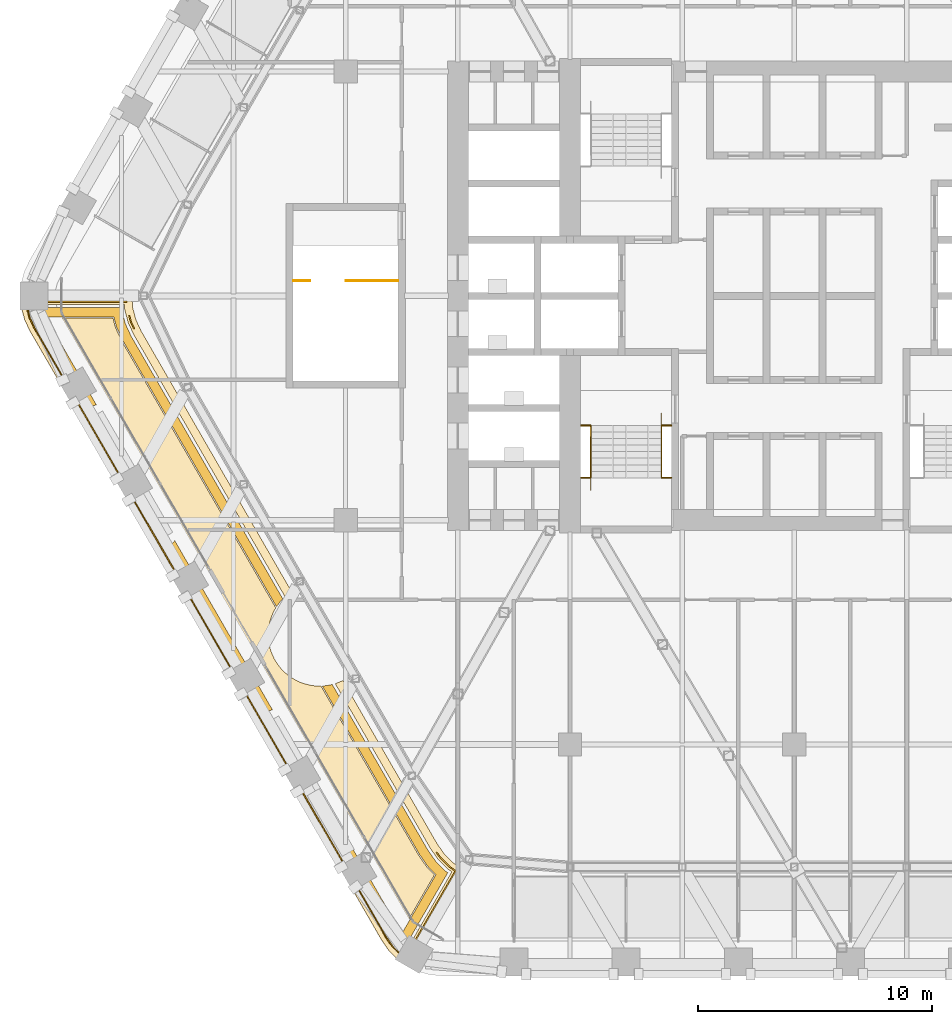
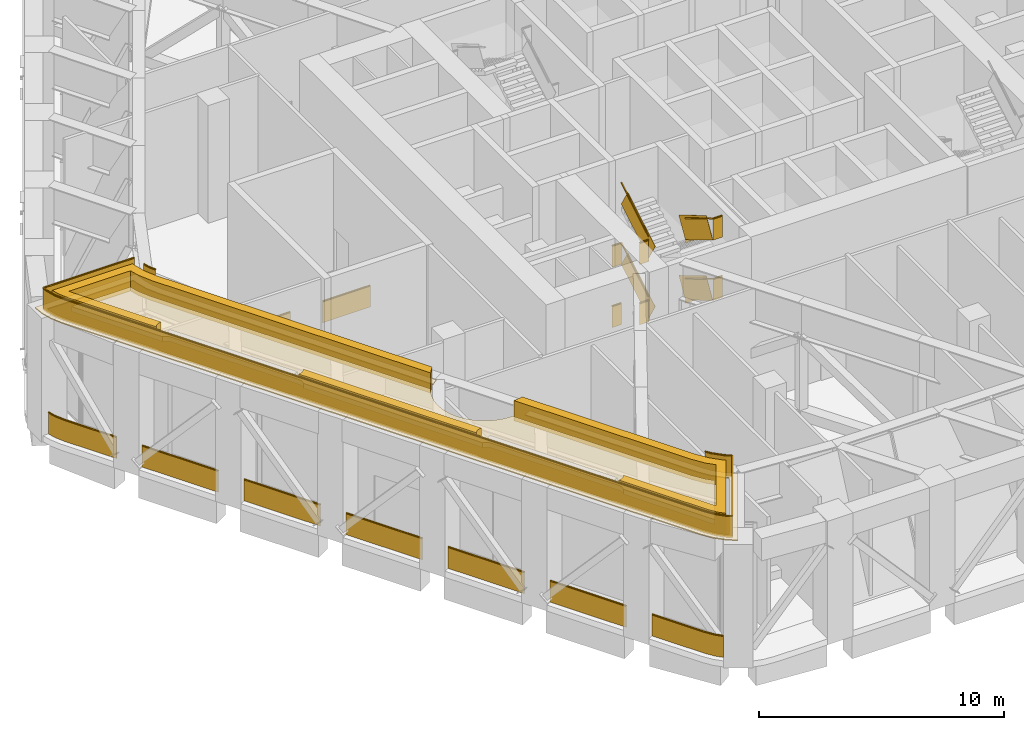
# One storey, part 25 of 27: 5 coverings, 5 railings.
"""IFC4 building model written with IfcOpenShell, lengths in metres."""

from ifc_helpers import new_model, si_unit, direction, frame, frame_2d, origin, origin_2d, place, context, subcontext, project, spatial, polyline, rectangle, outline, extrude, material, layer, layer_set, type_object, element, save


model = new_model("IFC4")

# Units and contexts
model_context = context("Model", 3, precision=1e-05, world=origin(), true_north=direction((0.0, 1.0)))
body_context = subcontext(model_context, "Body", "Model", "MODEL_VIEW")
ifc_project = project(units=[si_unit("LENGTHUNIT", "METRE"), si_unit("AREAUNIT", "SQUARE_METRE"), si_unit("VOLUMEUNIT", "CUBIC_METRE"), si_unit("PLANEANGLEUNIT", "RADIAN"), si_unit("MASSUNIT", "GRAM", prefix="KILO")], contexts=[model_context])

# Site, building, storey
site_placement = place(None, origin())
site = spatial("IfcSite", under=ifc_project, at=site_placement, CompositionType="ELEMENT")
building_placement = place(site_placement, origin())
building = spatial("IfcBuilding", under=site, at=building_placement, Name="Kolab Exchange Tower", CompositionType="ELEMENT")
storey_placement = place(building_placement, frame((0.0, 0.0, 127.39990234375)))
storey = spatial("IfcBuildingStorey", under=building, at=storey_placement, Name="L25", CompositionType="ELEMENT", Elevation=127.39990234375)

# Railings
ifc_material_1 = material(Name="Stainless steel 316", Category="steel")
railing_type_1 = type_object("IfcRailingType", Name="GUARD 1100", PredefinedType="GUARDRAIL", material=ifc_material_1)
railing_1_placement = place(storey_placement, frame((-9.14990234375, -5.550048828125, 0.0)))
element("IfcRailing", 1, at=railing_1_placement, inside=storey, type_object=railing_type_1, Name="Guard ST3", PredefinedType="GUARDRAIL", context=body_context, shape_type="SweptSolid", body=[
    extrude(rectangle(XDim=0.05, YDim=0.05, at=origin_2d()), frame((0.0, 0.0, 1.0751953125), z_axis=(1.0, 0.0, 0.0), x_axis=(0.0, 1.0, 0.0)), (0.0, 0.0, 1.0), 0.43994140625),
    extrude(rectangle(XDim=0.012, YDim=1.05009765625, at=frame_2d((0.0, 0.525146484375))), frame((0.0, 0.0, 0.0), z_axis=(1.0, 0.0, 0.0), x_axis=(0.0, 1.0, 0.0)), (0.0, 0.0, 1.0), 0.43994140625),
    extrude(rectangle(XDim=0.05, YDim=0.05, at=origin_2d()), frame((3.4599609375, 0.0, 1.0751953125), z_axis=(1.0, 0.0, 0.0), x_axis=(0.0, 1.0, 0.0)), (0.0, 0.0, 1.0), 0.43994140625),
    extrude(rectangle(XDim=0.012, YDim=1.05009765625, at=frame_2d((0.0, 0.525146484375))), frame((3.4599609375, 0.0, 0.0), z_axis=(1.0, 0.0, 0.0), x_axis=(0.0, 1.0, 0.0)), (0.0, 0.0, 1.0), 0.43994140625),
    extrude(rectangle(XDim=0.05, YDim=0.05, at=origin_2d()), frame((0.0, -2.239990234375, 2.5751953125), z_axis=(1.0, 0.0, 0.0), x_axis=(0.0, 1.0, 0.0)), (0.0, 0.0, 1.0), 0.43994140625),
    extrude(rectangle(XDim=0.012, YDim=1.05009765625, at=frame_2d((0.0, 0.525146484375))), frame((0.0, -2.239990234375, 1.5), z_axis=(1.0, 0.0, 0.0), x_axis=(0.0, 1.0, 0.0)), (0.0, 0.0, 1.0), 0.43994140625),
    extrude(rectangle(XDim=0.05, YDim=0.05, at=origin_2d()), frame((3.4599609375, -2.239990234375, 2.5751953125), z_axis=(1.0, 0.0, 0.0), x_axis=(0.0, 1.0, 0.0)), (0.0, 0.0, 1.0), 0.43994140625),
    extrude(rectangle(XDim=0.012, YDim=1.05009765625, at=frame_2d((0.0, 0.525146484375))), frame((3.4599609375, -2.239990234375, 1.5), z_axis=(1.0, 0.0, 0.0), x_axis=(0.0, 1.0, 0.0)), (0.0, 0.0, 1.0), 0.43994140625),
    extrude(rectangle(XDim=0.05, YDim=0.05, at=origin_2d()), frame((0.0, 0.0, 4.0751953125), z_axis=(1.0, 0.0, 0.0), x_axis=(0.0, 1.0, 0.0)), (0.0, 0.0, 1.0), 0.43994140625),
    extrude(rectangle(XDim=0.012, YDim=1.05009765625, at=frame_2d((0.0, 0.525146484375))), frame((0.0, 0.0, 3.0), z_axis=(1.0, 0.0, 0.0), x_axis=(0.0, 1.0, 0.0)), (0.0, 0.0, 1.0), 0.43994140625),
    extrude(rectangle(XDim=0.05, YDim=0.05, at=origin_2d()), frame((3.4599609375, 0.0, 4.0751953125), z_axis=(1.0, 0.0, 0.0), x_axis=(0.0, 1.0, 0.0)), (0.0, 0.0, 1.0), 0.43994140625),
    extrude(rectangle(XDim=0.012, YDim=1.05009765625, at=frame_2d((0.0, 0.525146484375))), frame((3.4599609375, 0.0, 3.0), z_axis=(1.0, 0.0, 0.0), x_axis=(0.0, 1.0, 0.0)), (0.0, 0.0, 1.0), 0.43994140625),
    extrude(rectangle(XDim=0.05, YDim=0.05, at=origin_2d()), frame((0.0, -2.239990234375, 5.5751953125), z_axis=(1.0, 0.0, 0.0), x_axis=(0.0, 1.0, 0.0)), (0.0, 0.0, 1.0), 0.43994140625),
    extrude(rectangle(XDim=0.012, YDim=1.05009765625, at=frame_2d((0.0, 0.525146484375))), frame((0.0, -2.239990234375, 4.5), z_axis=(1.0, 0.0, 0.0), x_axis=(0.0, 1.0, 0.0)), (0.0, 0.0, 1.0), 0.43994140625),
    extrude(rectangle(XDim=0.05, YDim=0.05, at=origin_2d()), frame((3.4599609375, -2.239990234375, 5.5751953125), z_axis=(1.0, 0.0, 0.0), x_axis=(0.0, 1.0, 0.0)), (0.0, 0.0, 1.0), 0.43994140625),
    extrude(rectangle(XDim=0.012, YDim=1.05009765625, at=frame_2d((0.0, 0.525146484375))), frame((3.4599609375, -2.239990234375, 4.5), z_axis=(1.0, 0.0, 0.0), x_axis=(0.0, 1.0, 0.0)), (0.0, 0.0, 1.0), 0.43994140625),
])
railing_2_placement = place(storey_placement, frame((-5.68994140625, -5.550048828125, 0.166748046875)))
element("IfcRailing", 2, at=railing_2_placement, inside=storey, type_object=railing_type_1, Name="Handrail guard ST3", PredefinedType="GUARDRAIL", context=body_context, shape_type="SweptSolid", body=[
    extrude(rectangle(XDim=0.05, YDim=0.05, at=origin_2d()), frame((0.0, 0.0, 1.0751953125), z_axis=(0.0, -0.859305625298, 0.511462454469), x_axis=(1.0, 0.0, 0.0)), (0.0, 0.0, 1.0), 2.606689453125),
    extrude(rectangle(XDim=0.012, YDim=1.05009765625, at=frame_2d((0.0, 0.525146484375))), frame((0.0, 0.0, 0.0), z_axis=(0.0, -0.859305625298, 0.511462454469), x_axis=(1.0, 0.0, 0.0)), (0.0, 0.0, 1.0), 2.606689453125),
    extrude(rectangle(XDim=0.05, YDim=0.05, at=origin_2d()), frame((-3.02001953125, -2.239990234375, 2.5751953125), z_axis=(0.0, 0.859305625298, 0.511462454469), x_axis=(-1.0, 0.0, 0.0)), (0.0, 0.0, 1.0), 2.606689453125),
    extrude(rectangle(XDim=0.012, YDim=1.05009765625, at=frame_2d((0.0, 0.525146484375))), frame((-3.02001953125, -2.239990234375, 1.5), z_axis=(0.0, 0.859305625298, 0.511462454469), x_axis=(-1.0, 0.0, 0.0)), (0.0, 0.0, 1.0), 2.606689453125),
    extrude(rectangle(XDim=0.05, YDim=0.05, at=origin_2d()), frame((0.0, 0.0, 4.0751953125), z_axis=(0.0, -0.859305625298, 0.511462454469), x_axis=(1.0, 0.0, 0.0)), (0.0, 0.0, 1.0), 2.606689453125),
    extrude(rectangle(XDim=0.012, YDim=1.05009765625, at=frame_2d((0.0, 0.525146484375))), frame((0.0, 0.0, 3.0), z_axis=(0.0, -0.859305625298, 0.511462454469), x_axis=(1.0, 0.0, 0.0)), (0.0, 0.0, 1.0), 2.606689453125),
    extrude(rectangle(XDim=0.05, YDim=0.05, at=origin_2d()), frame((-3.02001953125, -2.239990234375, 5.5751953125), z_axis=(0.0, 0.859305625298, 0.511462454469), x_axis=(-1.0, 0.0, 0.0)), (0.0, 0.0, 1.0), 2.606689453125),
    extrude(rectangle(XDim=0.012, YDim=1.05009765625, at=frame_2d((0.0, 0.525146484375))), frame((-3.02001953125, -2.239990234375, 4.5), z_axis=(0.0, 0.859305625298, 0.511462454469), x_axis=(-1.0, 0.0, 0.0)), (0.0, 0.0, 1.0), 2.606689453125),
])
railing_3_placement = place(storey_placement, frame((-21.449951171875, 0.64990234375, 0.0)))
element("IfcRailing", 3, at=railing_3_placement, inside=storey, type_object=railing_type_1, Name="Guard ST5", PredefinedType="GUARDRAIL", context=body_context, shape_type="SweptSolid", body=[
    extrude(rectangle(XDim=0.05, YDim=0.05, at=origin_2d()), frame((0.0, 0.0, 1.0751953125), z_axis=(1.0, 0.0, 0.0), x_axis=(0.0, 1.0, 0.0)), (0.0, 0.0, 1.0), 0.739990234375),
    extrude(rectangle(XDim=0.012, YDim=1.05009765625, at=frame_2d((0.0, 0.525146484375))), frame((0.0, 0.0, 0.0), z_axis=(1.0, 0.0, 0.0), x_axis=(0.0, 1.0, 0.0)), (0.0, 0.0, 1.0), 0.739990234375),
    extrude(rectangle(XDim=0.05, YDim=0.05, at=origin_2d()), frame((2.260009765625, 0.0, 1.0751953125), z_axis=(1.0, 0.0, 0.0), x_axis=(0.0, 1.0, 0.0)), (0.0, 0.0, 1.0), 2.239990234375),
    extrude(rectangle(XDim=0.012, YDim=1.05009765625, at=frame_2d((0.0, 0.525146484375))), frame((2.260009765625, 0.0, 0.0), z_axis=(1.0, 0.0, 0.0), x_axis=(0.0, 1.0, 0.0)), (0.0, 0.0, 1.0), 2.239990234375),
])
ifc_material_2 = material(Name="Steel S235", Category="steel")
railing_type_2 = type_object("IfcRailingType", Name="GUARD 1100 GLASS BALUSTRADE AND STEEL TOP RAIL", PredefinedType="GUARDRAIL", material=ifc_material_2)
railing_4_placement = place(storey_placement, frame((-32.81298828125, -0.593994140625, 0.0)))
element("IfcRailing", 4, at=railing_4_placement, inside=storey, type_object=railing_type_2, Name="Guard", PredefinedType="GUARDRAIL", context=body_context, shape_type="SweptSolid", body=[
    extrude(rectangle(XDim=0.05, YDim=0.05, at=origin_2d()), frame((0.0, 0.0, 1.0751953125), z_axis=(0.259144041577, -0.965838685141, 0.0), x_axis=(0.965838685141, 0.259144041577, 0.0)), (0.0, 0.0, 1.0), 0.35888671875),
    extrude(rectangle(XDim=0.012, YDim=1.05009765625, at=frame_2d((0.0, 0.525146484375))), frame((0.0, 0.0, 0.0), z_axis=(0.259144041577, -0.965838685141, 0.0), x_axis=(0.965838685141, 0.259144041577, 0.0)), (0.0, 0.0, 1.0), 0.35888671875),
    extrude(rectangle(XDim=0.05, YDim=0.05, at=origin_2d()), frame((0.093017578125, -0.3466796875, 1.0751953125), z_axis=(0.422383329074, -0.906417300872, 0.0), x_axis=(0.906417300872, 0.422383329074, 0.0)), (0.0, 0.0, 1.0), 0.479248046875),
    extrude(rectangle(XDim=0.012, YDim=1.05009765625, at=frame_2d((0.0, 0.525146484375))), frame((0.093017578125, -0.3466796875, 0.0), z_axis=(0.422383329074, -0.906417300872, 0.0), x_axis=(0.906417300872, 0.422383329074, 0.0)), (0.0, 0.0, 1.0), 0.479248046875),
    extrude(rectangle(XDim=0.05, YDim=0.05, at=origin_2d()), frame((0.29541015625, -0.781005859375, 1.0751953125), z_axis=(0.500064973171, -0.865987888257, 0.0), x_axis=(0.865987888257, 0.500064973171, 0.0)), (0.0, 0.0, 1.0), 2.468017578125),
    extrude(rectangle(XDim=0.012, YDim=1.05009765625, at=frame_2d((0.0, 0.525146484375))), frame((0.29541015625, -0.781005859375, 0.0), z_axis=(0.500064973171, -0.865987888257, 0.0), x_axis=(0.865987888257, 0.500064973171, 0.0)), (0.0, 0.0, 1.0), 2.468017578125),
    extrude(rectangle(XDim=0.05, YDim=0.05, at=origin_2d()), frame((2.12939453125, -3.95751953125, 1.0751953125), z_axis=(0.500012057535, -0.866018442252, 0.0), x_axis=(0.866018442252, 0.500012057535, 0.0)), (0.0, 0.0, 1.0), 3.60009765625),
    extrude(rectangle(XDim=0.012, YDim=1.05009765625, at=frame_2d((0.0, 0.525146484375))), frame((2.12939453125, -3.95751953125, 0.0), z_axis=(0.500012057535, -0.866018442252, 0.0), x_axis=(0.866018442252, 0.500012057535, 0.0)), (0.0, 0.0, 1.0), 3.60009765625),
    extrude(rectangle(XDim=0.05, YDim=0.05, at=origin_2d()), frame((4.529541015625, -8.114501953125, 1.0751953125), z_axis=(0.500012057535, -0.866018442252, 0.0), x_axis=(0.866018442252, 0.500012057535, 0.0)), (0.0, 0.0, 1.0), 3.60009765625),
    extrude(rectangle(XDim=0.012, YDim=1.05009765625, at=frame_2d((0.0, 0.525146484375))), frame((4.529541015625, -8.114501953125, 0.0), z_axis=(0.500012057535, -0.866018442252, 0.0), x_axis=(0.866018442252, 0.500012057535, 0.0)), (0.0, 0.0, 1.0), 3.60009765625),
    extrude(rectangle(XDim=0.05, YDim=0.05, at=origin_2d()), frame((6.929443359375, -12.271484375, 1.0751953125), z_axis=(0.500012057535, -0.866018442252, 0.0), x_axis=(0.866018442252, 0.500012057535, 0.0)), (0.0, 0.0, 1.0), 3.60009765625),
    extrude(rectangle(XDim=0.012, YDim=1.05009765625, at=frame_2d((0.0, 0.525146484375))), frame((6.929443359375, -12.271484375, 0.0), z_axis=(0.500012057535, -0.866018442252, 0.0), x_axis=(0.866018442252, 0.500012057535, 0.0)), (0.0, 0.0, 1.0), 3.60009765625),
    extrude(rectangle(XDim=0.05, YDim=0.05, at=origin_2d()), frame((9.32958984375, -16.42822265625, 1.0751953125), z_axis=(0.499961193289, -0.866047807691, 0.0), x_axis=(0.866047807691, 0.499961193289, 0.0)), (0.0, 0.0, 1.0), 3.599853515625),
    extrude(rectangle(XDim=0.012, YDim=1.05009765625, at=frame_2d((0.0, 0.525146484375))), frame((9.32958984375, -16.42822265625, 0.0), z_axis=(0.499961193289, -0.866047807691, 0.0), x_axis=(0.866047807691, 0.499961193289, 0.0)), (0.0, 0.0, 1.0), 3.599853515625),
    extrude(rectangle(XDim=0.05, YDim=0.05, at=origin_2d()), frame((11.7294921875, -20.585205078125, 1.0751953125), z_axis=(0.500012057535, -0.866018442252, 0.0), x_axis=(0.866018442252, 0.500012057535, 0.0)), (0.0, 0.0, 1.0), 3.60009765625),
    extrude(rectangle(XDim=0.012, YDim=1.05009765625, at=frame_2d((0.0, 0.525146484375))), frame((11.7294921875, -20.585205078125, 0.0), z_axis=(0.500012057535, -0.866018442252, 0.0), x_axis=(0.866018442252, 0.500012057535, 0.0)), (0.0, 0.0, 1.0), 3.60009765625),
    extrude(rectangle(XDim=0.05, YDim=0.05, at=origin_2d()), frame((14.12939453125, -24.7421875, 1.0751953125), z_axis=(0.500064973171, -0.865987888257, 0.0), x_axis=(0.865987888257, 0.500064973171, 0.0)), (0.0, 0.0, 1.0), 2.468017578125),
    extrude(rectangle(XDim=0.012, YDim=1.05009765625, at=frame_2d((0.0, 0.525146484375))), frame((14.12939453125, -24.7421875, 0.0), z_axis=(0.500064973171, -0.865987888257, 0.0), x_axis=(0.865987888257, 0.500064973171, 0.0)), (0.0, 0.0, 1.0), 2.468017578125),
    extrude(rectangle(XDim=0.05, YDim=0.05, at=origin_2d()), frame((15.363525390625, -26.87939453125, 1.0751953125), z_axis=(0.573359816273, -0.819303680624, 0.0), x_axis=(0.819303680624, 0.573359816273, 0.0)), (0.0, 0.0, 1.0), 0.4794921875),
    extrude(rectangle(XDim=0.012, YDim=1.05009765625, at=frame_2d((0.0, 0.525146484375))), frame((15.363525390625, -26.87939453125, 0.0), z_axis=(0.573359816273, -0.819303680624, 0.0), x_axis=(0.819303680624, 0.573359816273, 0.0)), (0.0, 0.0, 1.0), 0.4794921875),
    extrude(rectangle(XDim=0.05, YDim=0.05, at=origin_2d()), frame((15.638427734375, -27.272216796875, 1.0751953125), z_axis=(0.707106781187, -0.707106781187, 0.0), x_axis=(0.707106781187, 0.707106781187, 0.0)), (0.0, 0.0, 1.0), 0.358642578125),
    extrude(rectangle(XDim=0.012, YDim=1.05009765625, at=frame_2d((0.0, 0.525146484375))), frame((15.638427734375, -27.272216796875, 0.0), z_axis=(0.707106781187, -0.707106781187, 0.0), x_axis=(0.707106781187, 0.707106781187, 0.0)), (0.0, 0.0, 1.0), 0.358642578125),
])
railing_5_placement = place(storey_placement, frame((-16.64794921875, -28.335205078125, 6.0)))
element("IfcRailing", 5, at=railing_5_placement, inside=storey, type_object=railing_type_2, Name="Ledge guard", PredefinedType="GUARDRAIL", context=body_context, shape_type="SweptSolid", body=[
    extrude(rectangle(XDim=0.05, YDim=0.05, at=origin_2d()), frame((-11.81591796875, 27.49609375, 1.0751953125), z_axis=(0.258577580787, -0.965990494112, 0.0), x_axis=(0.965990494112, 0.258577580787, 0.0)), (0.0, 0.0, 1.0), 0.2822265625),
    extrude(rectangle(XDim=0.012, YDim=1.05009765625, at=frame_2d((0.0, 0.525146484375))), frame((-11.81591796875, 27.49609375, 0.0), z_axis=(0.258577580787, -0.965990494112, 0.0), x_axis=(0.965990494112, 0.258577580787, 0.0)), (0.0, 0.0, 1.0), 0.2822265625),
    extrude(rectangle(XDim=0.05, YDim=0.05, at=origin_2d()), frame((-11.742919921875, 27.223388671875, 1.0751953125), z_axis=(0.422806465979, -0.906220002166, 0.0), x_axis=(0.906220002166, 0.422806465979, 0.0)), (0.0, 0.0, 1.0), 0.33837890625),
    extrude(rectangle(XDim=0.012, YDim=1.05009765625, at=frame_2d((0.0, 0.525146484375))), frame((-11.742919921875, 27.223388671875, 0.0), z_axis=(0.422806465979, -0.906220002166, 0.0), x_axis=(0.906220002166, 0.422806465979, 0.0)), (0.0, 0.0, 1.0), 0.33837890625),
    extrude(rectangle(XDim=0.05, YDim=0.05, at=origin_2d()), frame((1.333251953125, 4.52734375, 1.0751953125), z_axis=(0.573161780515, -0.819442233081, 0.0), x_axis=(0.819442233081, 0.573161780515, 0.0)), (0.0, 0.0, 1.0), 0.272705078125),
    extrude(rectangle(XDim=0.012, YDim=1.05009765625, at=frame_2d((0.0, 0.525146484375))), frame((1.333251953125, 4.52734375, 0.0), z_axis=(0.573161780515, -0.819442233081, 0.0), x_axis=(0.819442233081, 0.573161780515, 0.0)), (0.0, 0.0, 1.0), 0.272705078125),
    extrude(rectangle(XDim=0.05, YDim=0.05, at=origin_2d()), frame((1.489501953125, 4.303955078125, 1.0751953125), z_axis=(0.707322132711, -0.706891364056, 0.0), x_axis=(0.706891364056, 0.707322132711, 0.0)), (0.0, 0.0, 1.0), 0.566650390625),
    extrude(rectangle(XDim=0.012, YDim=1.05009765625, at=frame_2d((0.0, 0.525146484375))), frame((1.489501953125, 4.303955078125, 0.0), z_axis=(0.707322132711, -0.706891364056, 0.0), x_axis=(0.706891364056, 0.707322132711, 0.0)), (0.0, 0.0, 1.0), 0.566650390625),
    extrude(rectangle(XDim=0.05, YDim=0.05, at=origin_2d()), frame((1.890380859375, 3.9033203125, 1.0751953125), z_axis=(0.818977516842, -0.573825606702, 0.0), x_axis=(0.573825606702, 0.818977516842, 0.0)), (0.0, 0.0, 1.0), 0.315673828125),
    extrude(rectangle(XDim=0.012, YDim=1.05009765625, at=frame_2d((0.0, 0.525146484375))), frame((1.890380859375, 3.9033203125, 0.0), z_axis=(0.818977516842, -0.573825606702, 0.0), x_axis=(0.573825606702, 0.818977516842, 0.0)), (0.0, 0.0, 1.0), 0.315673828125),
    extrude(rectangle(XDim=0.05, YDim=0.05, at=origin_2d()), frame((2.14892578125, 3.72216796875, 1.0751953125), z_axis=(-0.499987977232, -0.866032345022, 0.0), x_axis=(0.866032345022, -0.499987977232, 0.0)), (0.0, 0.0, 1.0), 4.2978515625),
    extrude(rectangle(XDim=0.012, YDim=1.05009765625, at=frame_2d((0.0, 0.525146484375))), frame((2.14892578125, 3.72216796875, 0.0), z_axis=(-0.499987977232, -0.866032345022, 0.0), x_axis=(0.866032345022, -0.499987977232, 0.0)), (0.0, 0.0, 1.0), 4.2978515625),
    extrude(rectangle(XDim=0.05, YDim=0.05, at=origin_2d()), frame((0.0, 0.0, 1.0751953125), z_axis=(-0.819332409574, 0.573318761791, 0.0), x_axis=(-0.573318761791, -0.819332409574, 0.0)), (0.0, 0.0, 1.0), 0.228271484375),
    extrude(rectangle(XDim=0.012, YDim=1.05009765625, at=frame_2d((0.0, 0.525146484375))), frame((0.0, 0.0, 0.0), z_axis=(-0.819332409574, 0.573318761791, 0.0), x_axis=(-0.573318761791, -0.819332409574, 0.0)), (0.0, 0.0, 1.0), 0.228271484375),
    extrude(rectangle(XDim=0.05, YDim=0.05, at=origin_2d()), frame((-0.18701171875, 0.130859375, 1.0751953125), z_axis=(-0.707106781187, 0.707106781187, 0.0), x_axis=(-0.707106781187, -0.707106781187, 0.0)), (0.0, 0.0, 1.0), 0.479248046875),
    extrude(rectangle(XDim=0.012, YDim=1.05009765625, at=frame_2d((0.0, 0.525146484375))), frame((-0.18701171875, 0.130859375, 0.0), z_axis=(-0.707106781187, 0.707106781187, 0.0), x_axis=(-0.707106781187, -0.707106781187, 0.0)), (0.0, 0.0, 1.0), 0.479248046875),
    extrude(rectangle(XDim=0.05, YDim=0.05, at=origin_2d()), frame((-0.52587890625, 0.4697265625, 1.0751953125), z_axis=(-0.573863466501, 0.818950988653, 0.0), x_axis=(-0.818950988653, -0.573863466501, 0.0)), (0.0, 0.0, 1.0), 0.489990234375),
    extrude(rectangle(XDim=0.012, YDim=1.05009765625, at=frame_2d((0.0, 0.525146484375))), frame((-0.52587890625, 0.4697265625, 0.0), z_axis=(-0.573863466501, 0.818950988653, 0.0), x_axis=(-0.818950988653, -0.573863466501, 0.0)), (0.0, 0.0, 1.0), 0.489990234375),
    extrude(rectangle(XDim=0.05, YDim=0.05, at=origin_2d()), frame((-0.80712890625, 0.87109375, 1.0751953125), z_axis=(-0.499995680138, 0.866027897844, 0.0), x_axis=(-0.866027897844, -0.499995680138, 0.0)), (0.0, 0.0, 1.0), 30.114013671875),
    extrude(rectangle(XDim=0.012, YDim=1.05009765625, at=frame_2d((0.0, 0.525146484375))), frame((-0.80712890625, 0.87109375, 0.0), z_axis=(-0.499995680138, 0.866027897844, 0.0), x_axis=(-0.866027897844, -0.499995680138, 0.0)), (0.0, 0.0, 1.0), 30.114013671875),
    extrude(rectangle(XDim=0.05, YDim=0.05, at=origin_2d()), frame((-15.864013671875, 26.95068359375, 1.0751953125), z_axis=(-0.422749163714, 0.906246734934, 0.0), x_axis=(-0.906246734934, -0.422749163714, 0.0)), (0.0, 0.0, 1.0), 0.490234375),
    extrude(rectangle(XDim=0.012, YDim=1.05009765625, at=frame_2d((0.0, 0.525146484375))), frame((-15.864013671875, 26.95068359375, 0.0), z_axis=(-0.422749163714, 0.906246734934, 0.0), x_axis=(-0.906246734934, -0.422749163714, 0.0)), (0.0, 0.0, 1.0), 0.490234375),
    extrude(rectangle(XDim=0.05, YDim=0.05, at=origin_2d()), frame((-16.0712890625, 27.39501953125, 1.0751953125), z_axis=(-0.258803991931, 0.965929859648, 0.0), x_axis=(-0.965929859648, -0.258803991931, 0.0)), (0.0, 0.0, 1.0), 0.479248046875),
    extrude(rectangle(XDim=0.012, YDim=1.05009765625, at=frame_2d((0.0, 0.525146484375))), frame((-16.0712890625, 27.39501953125, 0.0), z_axis=(-0.258803991931, 0.965929859648, 0.0), x_axis=(-0.965929859648, -0.258803991931, 0.0)), (0.0, 0.0, 1.0), 0.479248046875),
    extrude(rectangle(XDim=0.05, YDim=0.05, at=origin_2d()), frame((-16.1953125, 27.85791015625, 1.0751953125), z_axis=(-0.086675791965, 0.996236571848, 0.0), x_axis=(-0.996236571848, -0.086675791965, 0.0)), (0.0, 0.0, 1.0), 0.228271484375),
    extrude(rectangle(XDim=0.012, YDim=1.05009765625, at=frame_2d((0.0, 0.525146484375))), frame((-16.1953125, 27.85791015625, 0.0), z_axis=(-0.086675791965, 0.996236571848, 0.0), x_axis=(-0.996236571848, -0.086675791965, 0.0)), (0.0, 0.0, 1.0), 0.228271484375),
    extrude(rectangle(XDim=0.05, YDim=0.05, at=origin_2d()), frame((-16.215087890625, 28.085205078125, 1.0751953125), z_axis=(1.0, 0.0, 0.0), x_axis=(0.0, 1.0, 0.0)), (0.0, 0.0, 1.0), 4.298095703125),
    extrude(rectangle(XDim=0.012, YDim=1.05009765625, at=frame_2d((0.0, 0.525146484375))), frame((-16.215087890625, 28.085205078125, 0.0), z_axis=(1.0, 0.0, 0.0), x_axis=(0.0, 1.0, 0.0)), (0.0, 0.0, 1.0), 4.298095703125),
])

# Coverings
ifc_material_3 = material(Name="Planting soil and turf", Category="soil")
ifc_layer_1 = layer(ifc_material_3, 0.25)
ifc_layer_set_1 = layer_set([ifc_layer_1], Name="Planting soil and turf")
covering_type_1 = type_object("IfcCoveringType", Name="PLANTING SOIL AND TURF 250", PredefinedType="USERDEFINED", material=ifc_layer_set_1)
covering_1_placement = place(storey_placement, frame((0.0, 0.0, 6.0)))
element("IfcCovering", 6, at=covering_1_placement, inside=storey, type_object=covering_type_1, Name="Planting soil and turf", ObjectType="PLANTING", PredefinedType="USERDEFINED", context=body_context, shape_type="SweptSolid", body=[
    extrude(outline(polyline([(-29.158935546875, -0.949951171875), (-29.051025390625, -1.352294921875), (-28.77734375, -1.93896484375), (-22.18798828125, -13.3525390625), (-22.253662109375, -13.462158203125), (-22.345947265625, -13.6572265625), (-22.418701171875, -13.860595703125), (-22.47119140625, -14.070068359375), (-22.502685546875, -14.28369140625), (-22.513427734375, -14.499267578125), (-22.502685546875, -14.71484375), (-22.47119140625, -14.928466796875), (-22.418701171875, -15.137939453125), (-22.345947265625, -15.341064453125), (-22.253662109375, -15.536376953125), (-22.142578125, -15.721435546875), (-22.013916015625, -15.894775390625), (-21.869140625, -16.054931640625), (-21.708984375, -16.199951171875), (-21.53564453125, -16.328369140625), (-21.3505859375, -16.439453125), (-21.1552734375, -16.53173828125), (-20.951904296875, -16.6044921875), (-20.74267578125, -16.656982421875), (-20.529052734375, -16.688720703125), (-20.3134765625, -16.69921875), (-20.25732421875, -16.696533203125), (-16.068115234375, -23.952392578125), (-15.696533203125, -24.48291015625), (-15.402099609375, -24.77734375), (-16.7939453125, -27.187744140625), (-16.864013671875, -27.087646484375), (-18.954345703125, -23.467041015625), (-18.952392578125, -23.462890625), (-18.9404296875, -23.425537109375), (-18.93212890625, -23.386962890625), (-18.927734375, -23.34814453125), (-18.927001953125, -23.308837890625), (-18.93017578125, -23.269775390625), (-18.937255859375, -23.231201171875), (-18.947998046875, -23.193359375), (-18.96240234375, -23.15673828125), (-18.98046875, -23.121826171875), (-21.98046875, -17.92578125), (-22.001708984375, -17.892822265625), (-22.026123046875, -17.862060546875), (-22.053466796875, -17.833740234375), (-22.083251953125, -17.808349609375), (-22.115478515625, -17.7861328125), (-22.14990234375, -17.76708984375), (-22.185791015625, -17.75146484375), (-22.223388671875, -17.739501953125), (-22.26171875, -17.731201171875), (-22.266357421875, -17.73046875), (-26.48828125, -10.41796875), (-26.486328125, -10.41357421875), (-26.474365234375, -10.376220703125), (-26.466064453125, -10.337890625), (-26.461669921875, -10.298828125), (-26.4609375, -10.259521484375), (-26.464111328125, -10.220458984375), (-26.47119140625, -10.181884765625), (-26.48193359375, -10.14404296875), (-26.496337890625, -10.107666015625), (-26.514404296875, -10.07275390625), (-29.514404296875, -4.87646484375), (-29.53564453125, -4.843505859375), (-29.56005859375, -4.812744140625), (-29.58740234375, -4.78466796875), (-29.6171875, -4.75927734375), (-29.649658203125, -4.73681640625), (-29.683837890625, -4.7177734375), (-29.719970703125, -4.7021484375), (-29.75732421875, -4.690185546875), (-29.795654296875, -4.681884765625), (-29.80029296875, -4.681396484375), (-31.890625, -1.06103515625), (-31.942138671875, -0.949951171875), (-29.158935546875, -0.949951171875)])), origin(), (0.0, 0.0, 1.0), 0.25),
])
ifc_material_4 = material(Name="Limestone coping", Category="masonry")
ifc_layer_2 = layer(ifc_material_4, 0.050048828125)
ifc_layer_set_2 = layer_set([ifc_layer_2], Name="Limestone coping")
covering_type_2 = type_object("IfcCoveringType", Name="TERRACE EDGE BAND LIMESTONE 50", PredefinedType="CLADDING", material=ifc_layer_set_2)
covering_2_placement = place(storey_placement, frame((0.0, 0.0, 6.0)))
element("IfcCovering", 7, at=covering_2_placement, inside=storey, type_object=covering_type_2, Name="Terrace edge band", PredefinedType="CLADDING", context=body_context, shape_type="SweptSolid", body=[
    extrude(outline(polyline([(-17.3505859375, -28.013916015625), (-17.649169921875, -27.587646484375), (-32.71630859375, -1.49072265625), (-32.93603515625, -1.019287109375), (-33.070556640625, -0.517578125), (-33.114013671875, -0.02001953125), (-28.354248046875, -0.02001953125), (-28.31005859375, -0.5244140625), (-28.173828125, -1.032958984375), (-27.95166015625, -1.50927734375), (-21.51513671875, -12.65771484375), (-21.53564453125, -12.669921875), (-21.708984375, -12.798583984375), (-21.793701171875, -12.875244140625), (-28.262451171875, -1.6708984375), (-28.50390625, -1.153076171875), (-28.656005859375, -0.58544921875), (-28.675048828125, -0.3701171875), (-32.732177734375, -0.3701171875), (-32.724609375, -0.45654296875), (-32.60595703125, -0.89892578125), (-32.405517578125, -1.3291015625), (-30.259521484375, -5.046142578125), (-30.260009765625, -5.05029296875), (-30.260498046875, -5.089599609375), (-30.25732421875, -5.128662109375), (-30.250244140625, -5.16748046875), (-30.239501953125, -5.205078125), (-30.22509765625, -5.24169921875), (-30.207275390625, -5.276611328125), (-27.207275390625, -10.47265625), (-27.185791015625, -10.505615234375), (-27.16162109375, -10.536376953125), (-27.13427734375, -10.564697265625), (-27.104248046875, -10.590087890625), (-27.072021484375, -10.6123046875), (-27.03759765625, -10.63134765625), (-27.03369140625, -10.633056640625), (-22.725341796875, -18.09521484375), (-22.725830078125, -18.099609375), (-22.7265625, -18.138916015625), (-22.723388671875, -18.177978515625), (-22.71630859375, -18.216552734375), (-22.70556640625, -18.25439453125), (-22.691162109375, -18.290771484375), (-22.673095703125, -18.32568359375), (-19.673095703125, -23.52197265625), (-19.65185546875, -23.554931640625), (-19.62744140625, -23.585693359375), (-19.600341796875, -23.61376953125), (-19.5703125, -23.63916015625), (-19.5380859375, -23.66162109375), (-19.503662109375, -23.6806640625), (-19.499755859375, -23.682373046875), (-17.353759765625, -27.3994140625), (-17.08154296875, -27.7880859375), (-16.757568359375, -28.112060546875), (-16.6865234375, -28.161865234375), (-14.657958984375, -24.648193359375), (-14.8349609375, -24.524169921875), (-15.25048828125, -24.108642578125), (-15.578369140625, -23.640625), (-19.646484375, -16.594482421875), (-19.471435546875, -16.53173828125), (-19.31982421875, -16.4599609375), (-15.282958984375, -23.452392578125), (-14.9814453125, -23.8828125), (-14.609130859375, -24.255126953125), (-14.1943359375, -24.54541015625), (-16.574462890625, -28.667724609375), (-16.9833984375, -28.381103515625), (-17.3505859375, -28.013916015625)])), origin(), (0.0, 0.0, 1.0), 0.050048828125),
])
ifc_material_5 = material(Name="Terrace hedge planting", Category="soil")
ifc_layer_3 = layer(ifc_material_5, 1.0)
ifc_layer_set_3 = layer_set([ifc_layer_3], Name="Terrace hedge planting")
covering_type_3 = type_object("IfcCoveringType", Name="TERRACE HEDGE 1000 X 400", PredefinedType="USERDEFINED", material=ifc_layer_set_3)
covering_3_placement = place(storey_placement, frame((0.0, 0.0, 6.0)))
element("IfcCovering", 8, at=covering_3_placement, inside=storey, type_object=covering_type_3, Name="Terrace hedge", ObjectType="PLANTING", PredefinedType="USERDEFINED", context=body_context, shape_type="SweptSolid", body=[
    extrude(outline(polyline([(-28.78466796875, -0.608154296875), (-28.626708984375, -1.19775390625), (-28.3779296875, -1.731201171875), (-21.890625, -12.96728515625), (-22.013916015625, -13.103515625), (-22.142578125, -13.27685546875), (-22.158447265625, -13.303466796875), (-28.733154296875, -1.916015625), (-29.00390625, -1.3349609375), (-29.12060546875, -0.89990234375), (-32.020751953125, -0.89990234375), (-31.934814453125, -1.083984375), (-29.860595703125, -4.677001953125), (-29.873779296875, -4.6767578125), (-29.9130859375, -4.679931640625), (-29.95166015625, -4.68701171875), (-29.9892578125, -4.69775390625), (-30.02587890625, -4.712158203125), (-30.060791015625, -4.730224609375), (-30.09375, -4.75146484375), (-30.12451171875, -4.77587890625), (-30.15283203125, -4.802978515625), (-30.17822265625, -4.8330078125), (-30.200439453125, -4.865234375), (-30.20703125, -4.876953125), (-32.2900390625, -1.268798828125), (-32.4833984375, -0.8544921875), (-32.578369140625, -0.5), (-28.7939453125, -0.5), (-28.78466796875, -0.608154296875)])), origin(), (0.0, 0.0, 1.0), 1.0),
])
covering_4_placement = place(storey_placement, frame((0.0, 0.0, 6.0)))
element("IfcCovering", 9, at=covering_4_placement, inside=storey, type_object=covering_type_3, Name="Terrace hedge", ObjectType="PLANTING", PredefinedType="USERDEFINED", context=body_context, shape_type="SweptSolid", body=[
    extrude(outline(polyline([(-26.861083984375, -10.67236328125), (-26.84765625, -10.67236328125), (-26.80859375, -10.669189453125), (-26.77001953125, -10.662353515625), (-26.732177734375, -10.6513671875), (-26.69580078125, -10.636962890625), (-26.660888671875, -10.619140625), (-26.627685546875, -10.597900390625), (-26.596923828125, -10.573486328125), (-26.56884765625, -10.546142578125), (-26.54345703125, -10.51611328125), (-26.52099609375, -10.48388671875), (-26.5146484375, -10.47216796875), (-22.32666015625, -17.72607421875), (-22.33984375, -17.72607421875), (-22.37890625, -17.729248046875), (-22.417724609375, -17.736328125), (-22.455322265625, -17.7470703125), (-22.491943359375, -17.761474609375), (-22.52685546875, -17.779296875), (-22.559814453125, -17.800537109375), (-22.590576171875, -17.824951171875), (-22.61865234375, -17.852294921875), (-22.64404296875, -17.88232421875), (-22.66650390625, -17.91455078125), (-22.6728515625, -17.92626953125), (-26.861083984375, -10.67236328125)])), origin(), (0.0, 0.0, 1.0), 1.0),
])
covering_5_placement = place(storey_placement, frame((0.0, 0.0, 6.0)))
element("IfcCovering", 10, at=covering_5_placement, inside=storey, type_object=covering_type_3, Name="Terrace hedge", ObjectType="PLANTING", PredefinedType="USERDEFINED", context=body_context, shape_type="SweptSolid", body=[
    extrude(outline(polyline([(-15.688232421875, -23.71044921875), (-15.3505859375, -24.192626953125), (-14.9189453125, -24.624267578125), (-14.830078125, -24.686279296875), (-16.72216796875, -27.963623046875), (-16.981689453125, -27.7041015625), (-17.243896484375, -27.32958984375), (-19.3271484375, -23.721435546875), (-19.313720703125, -23.7216796875), (-19.274658203125, -23.718505859375), (-19.236083984375, -23.71142578125), (-19.1982421875, -23.70068359375), (-19.16162109375, -23.686279296875), (-19.126708984375, -23.668212890625), (-19.09375, -23.64697265625), (-19.06298828125, -23.62255859375), (-19.034912109375, -23.595458984375), (-19.009521484375, -23.5654296875), (-18.987060546875, -23.533203125), (-18.980712890625, -23.521484375), (-16.90625, -27.114501953125), (-16.789794921875, -27.28076171875), (-15.339599609375, -24.76904296875), (-15.658203125, -24.45068359375), (-16.02587890625, -23.925537109375), (-20.201171875, -16.693603515625), (-20.09765625, -16.688720703125), (-19.88427734375, -16.656982421875), (-19.776123046875, -16.6298828125), (-15.688232421875, -23.71044921875)])), origin(), (0.0, 0.0, 1.0), 1.0),
])

save(model, "model.ifc")
